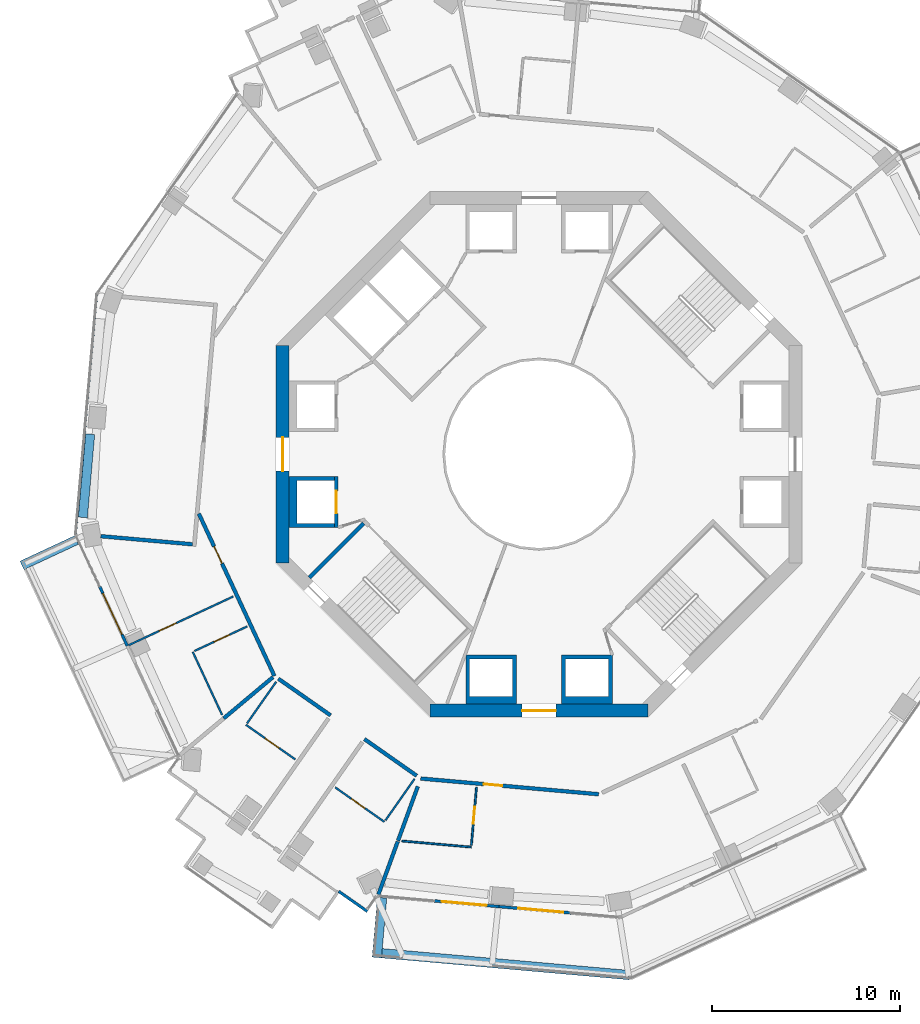
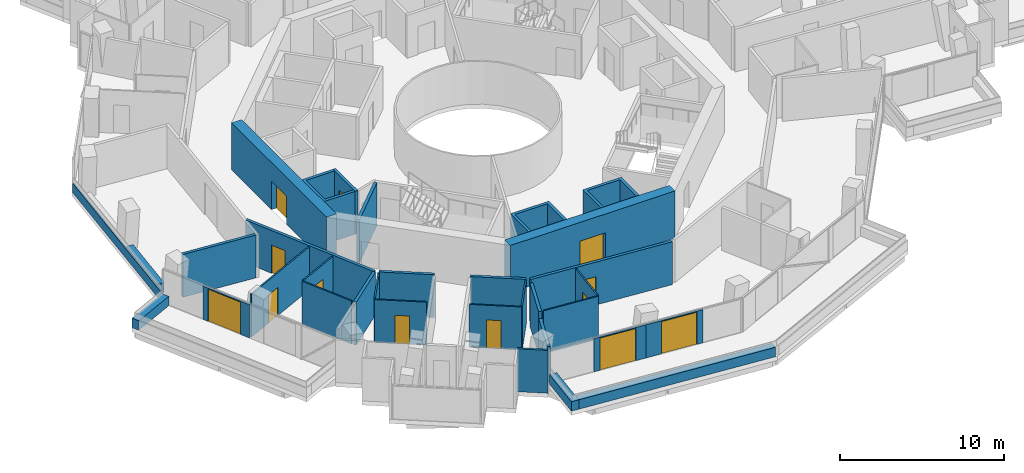
# One storey, part 15 of 23: 33 walls, 13 doors, 13 openings.
"""IFC4 building model written with IfcOpenShell, lengths in metres."""

from ifc_helpers import new_model, si_unit, direction, frame, frame_2d, origin, place, context, subcontext, project, spatial, polyline, rectangle, outline, extrude, material, layer, layer_set, type_object, element, fill, save


model = new_model("IFC4")

# Units and contexts
model_context = context("Model", 3, precision=1e-05, world=origin(), true_north=direction((0.0, 1.0)))
body_context = subcontext(model_context, "Body", "Model", "MODEL_VIEW")
ifc_project = project(units=[si_unit("LENGTHUNIT", "METRE"), si_unit("AREAUNIT", "SQUARE_METRE"), si_unit("VOLUMEUNIT", "CUBIC_METRE"), si_unit("PLANEANGLEUNIT", "RADIAN"), si_unit("MASSUNIT", "GRAM", prefix="KILO")], contexts=[model_context])

# Site, building, storey
site_placement = place(None, origin())
site = spatial("IfcSite", under=ifc_project, at=site_placement, CompositionType="ELEMENT")
building_placement = place(site_placement, origin())
building = spatial("IfcBuilding", under=site, at=building_placement, Name="Verdalira Terraces Hotel", CompositionType="ELEMENT")
storey_placement = place(building_placement, frame((0.0, 0.0, 136.5)))
storey = spatial("IfcBuildingStorey", under=building, at=storey_placement, Name="L32", CompositionType="ELEMENT", Elevation=136.5)

# Walls
ifc_material_1 = material(Name="Concrete C40", Category="concrete")
ifc_layer_1 = layer(ifc_material_1, 0.5)
ifc_layer_set_1 = layer_set([ifc_layer_1], Name="Balcony planter trough with tree")
wall_type_1 = type_object("IfcWallType", Name="Balcony planter trough with tree", PredefinedType="SOLIDWALL", material=ifc_layer_set_1)
wall_1_placement = place(storey_placement, frame((-24.630859, -4.570801, 0.0), z_axis=(0.0, 0.0, 1.0), x_axis=(-0.906621324, -0.421945227, 0.0)))
element("IfcWall", 1, at=wall_1_placement, inside=storey, type_object=wall_type_1, Name="Balcony planter", PredefinedType="SOLIDWALL", context=body_context, shape_type="SweptSolid", body=[
    extrude(rectangle(XDim=3.199219, YDim=0.5, at=frame_2d((1.599609, 0.0))), origin(), (0.0, 0.0, 1.0), 0.699951),
])
wall_2_placement = place(storey_placement, frame((-8.356934, -23.616455, 0.0), z_axis=(0.0, 0.0, 1.0), x_axis=(-0.087920539, -0.996127491, 0.0)))
element("IfcWall", 2, at=wall_2_placement, inside=storey, type_object=wall_type_1, Name="Balcony planter", PredefinedType="SOLIDWALL", context=body_context, shape_type="SweptSolid", body=[
    extrude(rectangle(XDim=3.198975, YDim=0.5, at=frame_2d((1.599609, 0.0))), origin(), (0.0, 0.0, 1.0), 0.699951),
])
wall_3_placement = place(storey_placement, frame((-8.367188, -26.575928, 0.0), z_axis=(0.0, 0.0, 1.0), x_axis=(0.996132512, -0.087863636, 0.0)))
element("IfcWall", 3, at=wall_3_placement, inside=storey, type_object=wall_type_1, Name="Balcony planter", PredefinedType="SOLIDWALL", context=body_context, shape_type="SweptSolid", body=[
    extrude(rectangle(XDim=13.223389, YDim=0.5, at=frame_2d((6.611816, 0.0))), origin(), (0.0, 0.0, 1.0), 0.699951),
])

# Wall, opening, door
ifc_material_2 = material(Name="Moisture-resistant gypsum board partition")
ifc_layer_2 = layer(ifc_material_2, 0.10009765625)
ifc_layer_set_2 = layer_set([ifc_layer_2], Name="Bathroom partition 100 mm")
wall_type_2 = type_object("IfcWallType", Name="Bathroom partition 100 mm", PredefinedType="PARTITIONING", material=ifc_layer_set_2)
wall_4_placement = place(storey_placement, frame((-16.281006, -7.578125, 0.0), z_axis=(0.0, 0.0, 1.0), x_axis=(-0.90660458, -0.421981202, 0.0)))
wall_4 = element("IfcWall", 4, at=wall_4_placement, inside=storey, type_object=wall_type_2, Name="Bathroom partition", PredefinedType="PARTITIONING", context=body_context, shape_type="SweptSolid", body=[
    extrude(rectangle(XDim=6.150146, YDim=0.100098, at=frame_2d((3.075195, 0.0))), origin(), (0.0, 0.0, 1.0), 3.189941),
])
opening_1_placement = place(wall_4_placement, frame((3.350098, 0.0, 0.0)))
opening_1 = element("IfcOpeningElement", 5, at=opening_1_placement, cuts=wall_4, Name="Opening L32-110", PredefinedType="OPENING", context=body_context, shape_type="SweptSolid", body=[
    extrude(rectangle(XDim=1.0, YDim=2.100098, at=frame_2d((0.5, 1.050049))), frame((0.0, 0.060059, 0.0), z_axis=(0.0, -1.0, 0.0), x_axis=(1.0, 0.0, 0.0)), (0.0, 0.0, 1.0), 0.120117),
])
ifc_material_3 = material(Name="Timber door", Category="wood")
door_type_1 = type_object("IfcDoorType", Name="Suite internal door 1000 x 2100", OperationType="NOTDEFINED", PredefinedType="DOOR", material=ifc_material_3)
door_1_placement = place(opening_1_placement, origin())
door_1 = element("IfcDoor", 6, at=door_1_placement, inside=storey, type_object=door_type_1, Name="Suite internal door 3204", OperationType="SINGLE_SWING_LEFT", OverallHeight=2.10009765625, OverallWidth=1.0, PredefinedType="DOOR", context=body_context, shape_type="SweptSolid", body=[
    extrude(rectangle(XDim=1.0, YDim=2.100098, at=frame_2d((0.5, 1.050049))), frame((0.0, 0.024902, 0.0), z_axis=(0.0, -1.0, 0.0), x_axis=(1.0, 0.0, 0.0)), (0.0, 0.0, 1.0), 0.050049),
])
fill(opening_1, door_1)

# Wall
wall_5_placement = place(storey_placement, frame((-18.440186, -10.522705, 0.0), z_axis=(0.0, 0.0, 1.0), x_axis=(0.421990349, -0.906600323, 0.0)))
element("IfcWall", 7, at=wall_5_placement, inside=storey, type_object=wall_type_2, Name="Bathroom partition", PredefinedType="PARTITIONING", context=body_context, shape_type="SweptSolid", body=[
    extrude(rectangle(XDim=3.703857, YDim=0.100098, at=frame_2d((1.852051, 0.0))), origin(), (0.0, 0.0, 1.0), 3.189941),
])

# Wall, opening, door
wall_6_placement = place(storey_placement, frame((-15.539062, -9.172363, 0.0), z_axis=(0.0, 0.0, 1.0), x_axis=(-0.906613229, -0.42196262, 0.0)))
wall_6 = element("IfcWall", 8, at=wall_6_placement, inside=storey, type_object=wall_type_2, Name="Bathroom partition", PredefinedType="PARTITIONING", context=body_context, shape_type="SweptSolid", body=[
    extrude(rectangle(XDim=3.100098, YDim=0.100098, at=frame_2d((1.550049, 0.0))), origin(), (0.0, 0.0, 1.0), 3.189941),
])
opening_2_placement = place(wall_6_placement, frame((1.050049, 0.0, 0.0)))
opening_2 = element("IfcOpeningElement", 9, at=opening_2_placement, cuts=wall_6, Name="Opening L32-111", PredefinedType="OPENING", context=body_context, shape_type="SweptSolid", body=[
    extrude(rectangle(XDim=0.899902, YDim=2.100098, at=frame_2d((0.449951, 1.050049))), frame((0.0, 0.060059, 0.0), z_axis=(0.0, -1.0, 0.0), x_axis=(1.0, 0.0, 0.0)), (0.0, 0.0, 1.0), 0.120117),
])
ifc_material_4 = material(Name="Timber door", Category="wood")
door_type_2 = type_object("IfcDoorType", Name="Bathroom door 900 x 2100", OperationType="NOTDEFINED", PredefinedType="DOOR", material=ifc_material_4)
door_2_placement = place(opening_2_placement, origin())
door_2 = element("IfcDoor", 10, at=door_2_placement, inside=storey, type_object=door_type_2, Name="Bathroom door 3204", OperationType="SINGLE_SWING_RIGHT", OverallHeight=2.10009765625, OverallWidth=0.89990234375, PredefinedType="DOOR", context=body_context, shape_type="SweptSolid", body=[
    extrude(rectangle(XDim=0.899902, YDim=2.100098, at=frame_2d((0.449951, 1.050049))), frame((0.0, 0.024902, 0.0), z_axis=(0.0, -1.0, 0.0), x_axis=(1.0, 0.0, 0.0)), (0.0, 0.0, 1.0), 0.050049),
])
fill(opening_2, door_2)

# Wall
wall_7_placement = place(storey_placement, frame((-13.995117, -12.119629, 0.0), z_axis=(0.0, 0.0, 1.0), x_axis=(-0.57416, -0.818743118, 0.0)))
element("IfcWall", 11, at=wall_7_placement, inside=storey, type_object=wall_type_2, Name="Bathroom partition", PredefinedType="PARTITIONING", context=body_context, shape_type="SweptSolid", body=[
    extrude(rectangle(XDim=2.700195, YDim=0.100098, at=frame_2d((1.350098, 0.0))), origin(), (0.0, 0.0, 1.0), 3.189941),
])

# Wall, opening, door
wall_8_placement = place(storey_placement, frame((-15.602783, -14.412109, 0.0), z_axis=(0.0, 0.0, 1.0), x_axis=(0.818744188, -0.574158475, 0.0)))
wall_8 = element("IfcWall", 12, at=wall_8_placement, inside=storey, type_object=wall_type_2, Name="Bathroom partition", PredefinedType="PARTITIONING", context=body_context, shape_type="SweptSolid", body=[
    extrude(rectangle(XDim=3.200195, YDim=0.100098, at=frame_2d((1.600098, 0.0))), origin(), (0.0, 0.0, 1.0), 3.189941),
])
opening_3_placement = place(wall_8_placement, frame((1.25, 0.0, 0.0)))
opening_3 = element("IfcOpeningElement", 13, at=opening_3_placement, cuts=wall_8, Name="Opening L32-115", PredefinedType="OPENING", context=body_context, shape_type="SweptSolid", body=[
    extrude(rectangle(XDim=0.899902, YDim=2.100098, at=frame_2d((0.449951, 1.050049))), frame((0.0, 0.060059, 0.0), z_axis=(0.0, -1.0, 0.0), x_axis=(1.0, 0.0, 0.0)), (0.0, 0.0, 1.0), 0.120117),
])
door_3_placement = place(opening_3_placement, origin())
door_3 = element("IfcDoor", 14, at=door_3_placement, inside=storey, type_object=door_type_2, Name="Bathroom door 3205", OperationType="SINGLE_SWING_LEFT", OverallHeight=2.10009765625, OverallWidth=0.89990234375, PredefinedType="DOOR", context=body_context, shape_type="SweptSolid", body=[
    extrude(rectangle(XDim=0.899902, YDim=2.100098, at=frame_2d((0.449951, 1.050049))), frame((0.0, 0.024902, 0.0), z_axis=(0.0, -1.0, 0.0), x_axis=(1.0, 0.0, 0.0)), (0.0, 0.0, 1.0), 0.050049),
])
fill(opening_3, door_3)

wall_9_placement = place(storey_placement, frame((-10.854004, -17.742188, 0.0), z_axis=(0.0, 0.0, 1.0), x_axis=(0.818744188, -0.574158475, 0.0)))
wall_9 = element("IfcWall", 15, at=wall_9_placement, inside=storey, type_object=wall_type_2, Name="Bathroom partition", PredefinedType="PARTITIONING", context=body_context, shape_type="SweptSolid", body=[
    extrude(rectangle(XDim=3.200195, YDim=0.100098, at=frame_2d((1.600098, 0.0))), origin(), (0.0, 0.0, 1.0), 3.189941),
])
opening_4_placement = place(wall_9_placement, frame((1.050049, 0.0, 0.0)))
opening_4 = element("IfcOpeningElement", 16, at=opening_4_placement, cuts=wall_9, Name="Opening L32-116", PredefinedType="OPENING", context=body_context, shape_type="SweptSolid", body=[
    extrude(rectangle(XDim=0.899902, YDim=2.100098, at=frame_2d((0.449951, 1.050049))), frame((0.0, 0.060059, 0.0), z_axis=(0.0, -1.0, 0.0), x_axis=(1.0, 0.0, 0.0)), (0.0, 0.0, 1.0), 0.120117),
])
door_4_placement = place(opening_4_placement, origin())
door_4 = element("IfcDoor", 17, at=door_4_placement, inside=storey, type_object=door_type_2, Name="Bathroom door 3205", OperationType="SINGLE_SWING_RIGHT", OverallHeight=2.10009765625, OverallWidth=0.89990234375, PredefinedType="DOOR", context=body_context, shape_type="SweptSolid", body=[
    extrude(rectangle(XDim=0.899902, YDim=2.100098, at=frame_2d((0.449951, 1.050049))), frame((0.0, 0.024902, 0.0), z_axis=(0.0, -1.0, 0.0), x_axis=(1.0, 0.0, 0.0)), (0.0, 0.0, 1.0), 0.050049),
])
fill(opening_4, door_4)

# Walls
wall_10_placement = place(storey_placement, frame((-8.176514, -19.497803, 0.0), z_axis=(0.0, 0.0, 1.0), x_axis=(0.574099384, 0.818785623, 0.0)))
element("IfcWall", 18, at=wall_10_placement, inside=storey, type_object=wall_type_2, Name="Bathroom partition", PredefinedType="PARTITIONING", context=body_context, shape_type="SweptSolid", body=[
    extrude(rectangle(XDim=2.699951, YDim=0.100098, at=frame_2d((1.350098, 0.0))), origin(), (0.0, 0.0, 1.0), 3.189941),
])
wall_11_placement = place(storey_placement, frame((-3.610352, -20.922119, 0.0), z_axis=(0.0, 0.0, 1.0), x_axis=(-0.996132735, 0.087861109, 0.0)))
element("IfcWall", 19, at=wall_11_placement, inside=storey, type_object=wall_type_2, Name="Bathroom partition", PredefinedType="PARTITIONING", context=body_context, shape_type="SweptSolid", body=[
    extrude(rectangle(XDim=3.704102, YDim=0.100098, at=frame_2d((1.852051, 0.0))), origin(), (0.0, 0.0, 1.0), 3.189941),
])

# Wall, opening, door
wall_12_placement = place(storey_placement, frame((-3.601562, -20.82251, 0.0), z_axis=(0.0, 0.0, 1.0), x_axis=(0.087886915, 0.996130458, 0.0)))
wall_12 = element("IfcWall", 20, at=wall_12_placement, inside=storey, type_object=wall_type_2, Name="Bathroom partition", PredefinedType="PARTITIONING", context=body_context, shape_type="SweptSolid", body=[
    extrude(rectangle(XDim=3.100098, YDim=0.100098, at=frame_2d((1.550049, 0.0))), origin(), (0.0, 0.0, 1.0), 3.189941),
])
opening_5_placement = place(wall_12_placement, frame((1.149902, 0.0, 0.0)))
opening_5 = element("IfcOpeningElement", 21, at=opening_5_placement, cuts=wall_12, Name="Opening L32-118", PredefinedType="OPENING", context=body_context, shape_type="SweptSolid", body=[
    extrude(rectangle(XDim=0.899902, YDim=2.100098, at=frame_2d((0.449951, 1.050049))), frame((0.0, 0.060059, 0.0), z_axis=(0.0, -1.0, 0.0), x_axis=(1.0, 0.0, 0.0)), (0.0, 0.0, 1.0), 0.120117),
])
door_5_placement = place(opening_5_placement, origin())
door_5 = element("IfcDoor", 22, at=door_5_placement, inside=storey, type_object=door_type_2, Name="Bathroom door 3206", OperationType="SINGLE_SWING_LEFT", OverallHeight=2.10009765625, OverallWidth=0.89990234375, PredefinedType="DOOR", context=body_context, shape_type="SweptSolid", body=[
    extrude(rectangle(XDim=0.899902, YDim=2.100098, at=frame_2d((0.449951, 1.050049))), frame((0.0, 0.024902, 0.0), z_axis=(0.0, -1.0, 0.0), x_axis=(1.0, 0.0, 0.0)), (0.0, 0.0, 1.0), 0.050049),
])
fill(opening_5, door_5)

# Wall
ifc_material_5 = material(Name="Concrete C50", Category="concrete")
ifc_layer_3 = layer(ifc_material_5, 0.199951171875)
ifc_layer_set_3 = layer_set([ifc_layer_3], Name="Core RC wall 200 C50")
wall_type_3 = type_object("IfcWallType", Name="Core RC wall 200 C50", PredefinedType="SOLIDWALL", material=ifc_layer_set_3)
wall_13_placement = place(storey_placement, origin())
element("IfcWall", 23, at=wall_13_placement, inside=storey, type_object=wall_type_3, Name="L32 shaft wall W2", PredefinedType="SOLIDWALL", context=body_context, shape_type="SweptSolid", body=[
    extrude(outline(polyline([(-13.300049, -3.899902), (-13.300049, -1.199951), (-10.899902, -1.199951), (-10.899902, -1.399902), (-12.899902, -1.399902), (-12.899902, -3.699951), (-10.899902, -3.699951), (-10.899902, -3.899902), (-13.300049, -3.899902)])), origin(), (0.0, 0.0, 1.0), 3.189941),
])

# Wall, opening, door
wall_14_placement = place(storey_placement, frame((-10.800049, -1.199951, 0.0), z_axis=(0.0, 0.0, 1.0), x_axis=(0.0, -1.0, 0.0)))
wall_14 = element("IfcWall", 24, at=wall_14_placement, inside=storey, type_object=wall_type_3, Name="L32 shaft front wall W2", PredefinedType="SOLIDWALL", context=body_context, shape_type="SweptSolid", body=[
    extrude(rectangle(XDim=2.699951, YDim=0.199951, at=frame_2d((1.350098, 0.0))), origin(), (0.0, 0.0, 1.0), 3.189941),
])
opening_6_placement = place(wall_14_placement, frame((0.75, 0.0, 0.0)))
opening_6 = element("IfcOpeningElement", 25, at=opening_6_placement, cuts=wall_14, Name="Opening LD-L32-806", PredefinedType="OPENING", context=body_context, shape_type="SweptSolid", body=[
    extrude(rectangle(XDim=1.199951, YDim=2.100098, at=frame_2d((0.600098, 1.050049))), frame((0.0, 0.109863, 0.0), z_axis=(0.0, -1.0, 0.0), x_axis=(1.0, 0.0, 0.0)), (0.0, 0.0, 1.0), 0.219971),
])
ifc_material_6 = material(Name="Stainless steel", Category="steel")
door_type_3 = type_object("IfcDoorType", Name="Landing door 1200 x 2100", OperationType="NOTDEFINED", PredefinedType="DOOR", material=ifc_material_6)
door_6_placement = place(opening_6_placement, origin())
door_6 = element("IfcDoor", 26, at=door_6_placement, inside=storey, type_object=door_type_3, Name="Lift landing door LR6 L32", OperationType="DOUBLE_DOOR_SLIDING", OverallHeight=2.10009765625, OverallWidth=1.199951171875, PredefinedType="DOOR", context=body_context, shape_type="SweptSolid", body=[
    extrude(rectangle(XDim=1.199951, YDim=2.100098, at=frame_2d((0.600098, 1.050049))), frame((0.0, 0.024902, 0.0), z_axis=(0.0, -1.0, 0.0), x_axis=(1.0, 0.0, 0.0)), (0.0, 0.0, 1.0), 0.050049),
])
fill(opening_6, door_6)

# Walls
wall_15_placement = place(storey_placement, origin())
element("IfcWall", 27, at=wall_15_placement, inside=storey, type_object=wall_type_3, Name="L32 shaft wall S1", PredefinedType="SOLIDWALL", context=body_context, shape_type="SweptSolid", body=[
    extrude(outline(polyline([(-1.199951, -13.300049), (-3.899902, -13.300049), (-3.899902, -10.699951), (-1.199951, -10.699951), (-1.199951, -13.300049)]), holes=[polyline([(-3.699951, -10.899902), (-3.699951, -12.899902), (-1.399902, -12.899902), (-1.399902, -10.899902), (-3.699951, -10.899902)])]), origin(), (0.0, 0.0, 1.0), 3.189941),
])
wall_16_placement = place(storey_placement, origin())
element("IfcWall", 28, at=wall_16_placement, inside=storey, type_object=wall_type_3, Name="L32 shaft wall S2", PredefinedType="SOLIDWALL", context=body_context, shape_type="SweptSolid", body=[
    extrude(outline(polyline([(3.899902, -10.699951), (3.899902, -13.300049), (1.199951, -13.300049), (1.199951, -10.699951), (3.899902, -10.699951)]), holes=[polyline([(1.399902, -12.899902), (3.699951, -12.899902), (3.699951, -10.899902), (1.399902, -10.899902), (1.399902, -12.899902)])]), origin(), (0.0, 0.0, 1.0), 3.189941),
])
wall_17_placement = place(storey_placement, frame((-9.33374, -3.677002, 0.0), z_axis=(0.0, 0.0, 1.0), x_axis=(-0.707106781, -0.707106781, 0.0)))
element("IfcWall", 29, at=wall_17_placement, inside=storey, type_object=wall_type_3, Name="L32 stair ST2 end wall 1", PredefinedType="SOLIDWALL", context=body_context, shape_type="SweptSolid", body=[
    extrude(rectangle(XDim=4.100098, YDim=0.199951, at=frame_2d((2.050049, 0.0))), origin(), (0.0, 0.0, 1.0), 3.189941),
])

# Wall, opening, door
ifc_material_7 = material(Name="Concrete C60", Category="concrete")
ifc_layer_4 = layer(ifc_material_7, 0.699951171875)
ifc_layer_set_4 = layer_set([ifc_layer_4], Name="Core wall 700 C60")
wall_type_4 = type_object("IfcWallType", Name="Core wall 700 C60", PredefinedType="SHEAR", material=ifc_layer_set_4)
wall_18_placement = place(storey_placement, frame((-13.649902, 5.799072, 0.0), z_axis=(0.0, 0.0, 1.0), x_axis=(0.0, -1.0, 0.0)))
wall_18 = element("IfcWall", 30, at=wall_18_placement, inside=storey, type_object=wall_type_4, Name="Core wall CW-L32-5", PredefinedType="SHEAR", context=body_context, shape_type="SweptSolid", body=[
    extrude(rectangle(XDim=11.598145, YDim=0.699951, at=frame_2d((5.799072, 0.0))), origin(), (0.0, 0.0, 1.0), 3.5),
])
opening_7_placement = place(wall_18_placement, frame((4.898926, 0.0, 0.0)))
opening_7 = element("IfcOpeningElement", 31, at=opening_7_placement, cuts=wall_18, Name="Opening L32-814", PredefinedType="OPENING", context=body_context, shape_type="SweptSolid", body=[
    extrude(rectangle(XDim=1.800049, YDim=2.100098, at=frame_2d((0.899902, 1.050049))), frame((0.0, 0.359863, 0.0), z_axis=(0.0, -1.0, 0.0), x_axis=(1.0, 0.0, 0.0)), (0.0, 0.0, 1.0), 0.719971),
])
ifc_material_8 = material(Name="Steel fire door", Category="steel")
door_type_4 = type_object("IfcDoorType", Name="Core entry door pair 1800 x 2100", OperationType="NOTDEFINED", PredefinedType="DOOR", material=ifc_material_8)
door_7_placement = place(opening_7_placement, origin())
door_7 = element("IfcDoor", 32, at=door_7_placement, inside=storey, type_object=door_type_4, Name="Core entry door L32 4", OperationType="DOUBLE_DOOR_SINGLE_SWING", OverallHeight=2.10009765625, OverallWidth=1.800048828125, PredefinedType="DOOR", context=body_context, shape_type="SweptSolid", body=[
    extrude(rectangle(XDim=1.800049, YDim=2.100098, at=frame_2d((0.899902, 1.050049))), frame((0.0, 0.024902, 0.0), z_axis=(0.0, -1.0, 0.0), x_axis=(1.0, 0.0, 0.0)), (0.0, 0.0, 1.0), 0.050049),
])
fill(opening_7, door_7)

wall_19_placement = place(storey_placement, frame((-5.799072, -13.649902, 0.0), z_axis=(0.0, 0.0, 1.0), x_axis=(1.0, 0.0, 0.0)))
wall_19 = element("IfcWall", 33, at=wall_19_placement, inside=storey, type_object=wall_type_4, Name="Core wall CW-L32-7", PredefinedType="SHEAR", context=body_context, shape_type="SweptSolid", body=[
    extrude(rectangle(XDim=11.598145, YDim=0.699951, at=frame_2d((5.799072, 0.0))), origin(), (0.0, 0.0, 1.0), 3.5),
])
opening_8_placement = place(wall_19_placement, frame((4.898926, 0.0, 0.0)))
opening_8 = element("IfcOpeningElement", 34, at=opening_8_placement, cuts=wall_19, Name="Opening L32-815", PredefinedType="OPENING", context=body_context, shape_type="SweptSolid", body=[
    extrude(rectangle(XDim=1.800049, YDim=2.100098, at=frame_2d((0.899902, 1.050049))), frame((0.0, 0.359863, 0.0), z_axis=(0.0, -1.0, 0.0), x_axis=(1.0, 0.0, 0.0)), (0.0, 0.0, 1.0), 0.719971),
])
door_8_placement = place(opening_8_placement, origin())
door_8 = element("IfcDoor", 35, at=door_8_placement, inside=storey, type_object=door_type_4, Name="Core entry door L32 6", OperationType="DOUBLE_DOOR_SINGLE_SWING", OverallHeight=2.10009765625, OverallWidth=1.800048828125, PredefinedType="DOOR", context=body_context, shape_type="SweptSolid", body=[
    extrude(rectangle(XDim=1.800049, YDim=2.100098, at=frame_2d((0.899902, 1.050049))), frame((0.0, 0.024902, 0.0), z_axis=(0.0, -1.0, 0.0), x_axis=(1.0, 0.0, 0.0)), (0.0, 0.0, 1.0), 0.050049),
])
fill(opening_8, door_8)

# Walls
ifc_material_9 = material(Name="Fire-rated gypsum board wall")
ifc_layer_5 = layer(ifc_material_9, 0.199951171875)
ifc_layer_set_5 = layer_set([ifc_layer_5], Name="Demising wall 200 mm")
wall_type_5 = type_object("IfcWallType", Name="Demising wall 200 mm", PredefinedType="SOLIDWALL", material=ifc_layer_set_5)
wall_20_placement = place(storey_placement, frame((-14.171143, -11.874268, 0.0), z_axis=(0.0, 0.0, 1.0), x_axis=(-0.766508121, -0.642234615, 0.0)))
element("IfcWall", 36, at=wall_20_placement, inside=storey, type_object=wall_type_5, Name="Demising wall", PredefinedType="SOLIDWALL", context=body_context, shape_type="SweptSolid", body=[
    extrude(rectangle(XDim=3.41626, YDim=0.199951, at=frame_2d((1.708008, 0.0))), origin(), (0.0, 0.0, 1.0), 3.189941),
])
wall_21_placement = place(storey_placement, frame((-6.453369, -17.691895, 0.0), z_axis=(0.0, 0.0, 1.0), x_axis=(-0.342641889, -0.939466091, 0.0)))
element("IfcWall", 37, at=wall_21_placement, inside=storey, type_object=wall_type_5, Name="Demising wall", PredefinedType="SOLIDWALL", context=body_context, shape_type="SweptSolid", body=[
    extrude(rectangle(XDim=3.074463, YDim=0.199951, at=frame_2d((1.537109, 0.0))), origin(), (0.0, 0.0, 1.0), 3.189941),
])
ifc_material_10 = material(Name="Fire-rated gypsum board wall")
ifc_layer_6 = layer(ifc_material_10, 0.199951171875)
ifc_layer_set_6 = layer_set([ifc_layer_6], Name="Demising wall 200 mm to beam soffit")
wall_type_6 = type_object("IfcWallType", Name="Demising wall 200 mm to beam soffit", PredefinedType="SOLIDWALL", material=ifc_layer_set_6)
wall_22_placement = place(storey_placement, frame((-7.522705, -20.623535, 0.0), z_axis=(0.0, 0.0, 1.0), x_axis=(-0.342686746, -0.93944973, 0.0)))
element("IfcWall", 38, at=wall_22_placement, inside=storey, type_object=wall_type_6, Name="Demising wall", PredefinedType="SOLIDWALL", context=body_context, shape_type="SweptSolid", body=[
    extrude(rectangle(XDim=3.011475, YDim=0.199951, at=frame_2d((1.505859, 0.0))), origin(), (0.0, 0.0, 1.0), 2.689941),
])

# Wall, opening, door
ifc_material_11 = material(Name="Fire-rated gypsum board wall")
ifc_layer_7 = layer(ifc_material_11, 0.199951171875)
ifc_layer_set_7 = layer_set([ifc_layer_7], Name="Guest corridor wall 200 mm")
wall_type_7 = type_object("IfcWallType", Name="Guest corridor wall 200 mm", PredefinedType="SOLIDWALL", material=ifc_layer_set_7)
wall_23_placement = place(storey_placement, frame((-14.091797, -11.807617, 0.0), z_axis=(0.0, 0.0, 1.0), x_axis=(-0.421991127, 0.906599961, 0.0)))
wall_23 = element("IfcWall", 39, at=wall_23_placement, inside=storey, type_object=wall_type_7, Name="Guest corridor wall", PredefinedType="SOLIDWALL", context=body_context, shape_type="SweptSolid", body=[
    extrude(rectangle(XDim=9.536621, YDim=0.199951, at=frame_2d((4.768311, 0.0))), origin(), (0.0, 0.0, 1.0), 3.189941),
])
opening_9_placement = place(wall_23_placement, frame((6.608398, 0.0, 0.0)))
opening_9 = element("IfcOpeningElement", 40, at=opening_9_placement, cuts=wall_23, Name="Opening L32-109", PredefinedType="OPENING", context=body_context, shape_type="SweptSolid", body=[
    extrude(rectangle(XDim=1.0, YDim=2.100098, at=frame_2d((0.5, 1.050049))), frame((0.0, 0.109863, 0.0), z_axis=(0.0, -1.0, 0.0), x_axis=(1.0, 0.0, 0.0)), (0.0, 0.0, 1.0), 0.219971),
])
ifc_material_12 = material(Name="Timber fire door", Category="wood")
door_type_5 = type_object("IfcDoorType", Name="Guest entry door 1000 x 2100", OperationType="NOTDEFINED", PredefinedType="DOOR", material=ifc_material_12)
door_9_placement = place(opening_9_placement, origin())
door_9 = element("IfcDoor", 41, at=door_9_placement, inside=storey, type_object=door_type_5, Name="Guest entry door 3204", OperationType="SINGLE_SWING_LEFT", OverallHeight=2.10009765625, OverallWidth=1.0, PredefinedType="DOOR", context=body_context, shape_type="SweptSolid", body=[
    extrude(rectangle(XDim=1.0, YDim=2.100098, at=frame_2d((0.5, 1.050049))), frame((0.0, 0.024902, 0.0), z_axis=(0.0, -1.0, 0.0), x_axis=(1.0, 0.0, 0.0)), (0.0, 0.0, 1.0), 0.050049),
])
fill(opening_9, door_9)

# Walls
for number, where, z_axis, x_axis, name in (
    (42, (-13.880371, -11.956055, 0.0), (0.0, 0.0, 1.0), (0.818762763, -0.574131987, 0.0), "Guest corridor wall"),
    (43, (-9.29541, -15.171143, 0.0), (0.0, 0.0, 1.0), (0.818762763, -0.574131987, 0.0), "Guest corridor wall"),
):
    element("IfcWall", number, at=place(storey_placement, frame(where, z_axis=z_axis, x_axis=x_axis)), inside=storey, type_object=wall_type_7, Name=name, PredefinedType="SOLIDWALL", context=body_context, shape_type="SweptSolid", body=[
        extrude(rectangle(XDim=3.400146, YDim=0.199951, at=frame_2d((1.700195, 0.0))), origin(), (0.0, 0.0, 1.0), 3.189941),
    ])

# Wall, opening, door
wall_24_placement = place(storey_placement, frame((3.179199, -18.107666, 0.0), z_axis=(0.0, 0.0, 1.0), x_axis=(-0.996131898, 0.087870599, 0.0)))
wall_24 = element("IfcWall", 44, at=wall_24_placement, inside=storey, type_object=wall_type_7, Name="Guest corridor wall", PredefinedType="SOLIDWALL", context=body_context, shape_type="SweptSolid", body=[
    extrude(rectangle(XDim=9.516113, YDim=0.199951, at=frame_2d((4.758057, 0.0))), origin(), (0.0, 0.0, 1.0), 3.189941),
])
opening_10_placement = place(wall_24_placement, frame((5.149902, 0.0, 0.0)))
opening_10 = element("IfcOpeningElement", 45, at=opening_10_placement, cuts=wall_24, Name="Opening L32-117", PredefinedType="OPENING", context=body_context, shape_type="SweptSolid", body=[
    extrude(rectangle(XDim=1.0, YDim=2.100098, at=frame_2d((0.5, 1.050049))), frame((0.0, 0.109863, 0.0), z_axis=(0.0, -1.0, 0.0), x_axis=(1.0, 0.0, 0.0)), (0.0, 0.0, 1.0), 0.219971),
])
door_10_placement = place(opening_10_placement, origin())
door_10 = element("IfcDoor", 46, at=door_10_placement, inside=storey, type_object=door_type_5, Name="Guest entry door 3206", OperationType="SINGLE_SWING_LEFT", OverallHeight=2.10009765625, OverallWidth=1.0, PredefinedType="DOOR", context=body_context, shape_type="SweptSolid", body=[
    extrude(rectangle(XDim=1.0, YDim=2.100098, at=frame_2d((0.5, 1.050049))), frame((0.0, 0.024902, 0.0), z_axis=(0.0, -1.0, 0.0), x_axis=(1.0, 0.0, 0.0)), (0.0, 0.0, 1.0), 0.050049),
])
fill(opening_10, door_10)

# Walls
ifc_material_13 = material(Name="Terracotta cladding", Category="masonry")
ifc_layer_8 = layer(ifc_material_13, 0.199951171875)
ifc_layer_set_8 = layer_set([ifc_layer_8], Name="Loggia back wall 200")
wall_type_8 = type_object("IfcWallType", Name="Loggia back wall 200", PredefinedType="SOLIDWALL", material=ifc_layer_set_8)
wall_25_placement = place(storey_placement, frame((-23.335938, -4.366699, 0.0), z_axis=(0.0, 0.0, 1.0), x_axis=(0.996131645, -0.087873468, 0.0)))
element("IfcWall", 47, at=wall_25_placement, inside=storey, type_object=wall_type_8, Name="Loggia side wall", PredefinedType="SOLIDWALL", context=body_context, shape_type="SweptSolid", body=[
    extrude(rectangle(XDim=4.903809, YDim=0.199951, at=frame_2d((2.451904, 0.0))), origin(), (0.0, 0.0, 1.0), 3.189941),
])
ifc_material_14 = material(Name="Concrete C40", Category="concrete")
ifc_layer_9 = layer(ifc_material_14, 0.5)
ifc_layer_set_9 = layer_set([ifc_layer_9], Name="Loggia planter trough with tree")
wall_type_9 = type_object("IfcWallType", Name="Loggia planter trough with tree", PredefinedType="SOLIDWALL", material=ifc_layer_set_9)
wall_26_placement = place(storey_placement, frame((-23.906982, 1.068848, 0.0), z_axis=(0.0, 0.0, 1.0), x_axis=(-0.08780743, -0.996137468, 0.0)))
element("IfcWall", 48, at=wall_26_placement, inside=storey, type_object=wall_type_9, Name="Loggia planter", PredefinedType="SOLIDWALL", context=body_context, shape_type="SweptSolid", body=[
    extrude(rectangle(XDim=4.454102, YDim=0.5, at=frame_2d((2.227051, 0.0))), origin(), (0.0, 0.0, 1.0), 0.699951),
])
ifc_material_15 = material(Name="Concrete C40", Category="concrete")
ifc_layer_10 = layer(ifc_material_15, 0.10009765625)
ifc_layer_set_10 = layer_set([ifc_layer_10], Name="Loggia upstand 100")
wall_type_10 = type_object("IfcWallType", Name="Loggia upstand 100", PredefinedType="SOLIDWALL", material=ifc_layer_set_10)
wall_27_placement = place(storey_placement, frame((-23.550781, 8.521973, 0.0), z_axis=(0.0, 0.0, 1.0), x_axis=(-0.087843868, -0.996134255, 0.0)))
element("IfcWall", 49, at=wall_27_placement, inside=storey, type_object=wall_type_10, Name="Loggia upstand", PredefinedType="SOLIDWALL", context=body_context, shape_type="SweptSolid", body=[
    extrude(rectangle(XDim=12.840088, YDim=0.100098, at=frame_2d((6.419922, 0.0))), origin(), (0.0, 0.0, 1.0), 0.699951),
])
ifc_material_16 = material(Name="Terracotta cladding", Category="masonry")
ifc_layer_11 = layer(ifc_material_16, 0.14990234375)
ifc_layer_set_11 = layer_set([ifc_layer_11], Name="Terracotta clad wall 150")
wall_type_11 = type_object("IfcWallType", Name="Terracotta clad wall 150", PredefinedType="SOLIDWALL", material=ifc_layer_set_11)
wall_28_placement = place(storey_placement, frame((-10.672119, -23.274414, 0.0), z_axis=(0.0, 0.0, 1.0), x_axis=(0.818778979, -0.574108861, 0.0)))
element("IfcWall", 50, at=wall_28_placement, inside=storey, type_object=wall_type_11, Name="Terracotta cladding wall", PredefinedType="SOLIDWALL", context=body_context, shape_type="SweptSolid", body=[
    extrude(rectangle(XDim=1.875, YDim=0.149902, at=frame_2d((0.9375, 0.0))), origin(), (0.0, 0.0, 1.0), 3.189941),
])

# Wall, opening, door
ifc_material_17 = material(Name="Terracotta cladding", Category="masonry")
ifc_layer_12 = layer(ifc_material_17, 0.14990234375)
ifc_layer_set_12 = layer_set([ifc_layer_12], Name="Terracotta door pier 150")
wall_type_12 = type_object("IfcWallType", Name="Terracotta door pier 150", PredefinedType="SOLIDWALL", material=ifc_layer_set_12)
wall_29_placement = place(storey_placement, frame((-23.391113, -7.054688, 0.0), z_axis=(0.0, 0.0, 1.0), x_axis=(0.422027589, -0.906582988, 0.0)))
wall_29 = element("IfcWall", 51, at=wall_29_placement, inside=storey, type_object=wall_type_12, Name="Terracotta door pier", PredefinedType="SOLIDWALL", context=body_context, shape_type="SweptSolid", body=[
    extrude(rectangle(XDim=3.475098, YDim=0.149902, at=frame_2d((1.737549, 0.0))), origin(), (0.0, 0.0, 1.0), 2.475098),
])
opening_11_placement = place(wall_29_placement, frame((0.399902, 0.0, 0.0)))
opening_11 = element("IfcOpeningElement", 52, at=opening_11_placement, cuts=wall_29, Name="Opening L32-B02", PredefinedType="OPENING", context=body_context, shape_type="SweptSolid", body=[
    extrude(rectangle(XDim=2.399902, YDim=2.399902, at=frame_2d((1.199951, 1.199951))), frame((0.0, 0.084961, 0.0), z_axis=(0.0, -1.0, 0.0), x_axis=(1.0, 0.0, 0.0)), (0.0, 0.0, 1.0), 0.169922),
])
ifc_material_18 = material(Name="Clear glass", Category="glass")
door_type_6 = type_object("IfcDoorType", Name="Balcony sliding door 2400x2400", OperationType="NOTDEFINED", PredefinedType="DOOR", material=ifc_material_18)
door_11_placement = place(opening_11_placement, origin())
door_11 = element("IfcDoor", 53, at=door_11_placement, inside=storey, type_object=door_type_6, Name="Balcony sliding door", OperationType="SLIDING_TO_RIGHT", OverallHeight=2.39990234375, OverallWidth=2.39990234375, PredefinedType="DOOR", context=body_context, shape_type="SweptSolid", body=[
    extrude(rectangle(XDim=2.399902, YDim=2.399902, at=frame_2d((1.199951, 1.199951))), frame((0.0, 0.024902, 0.0), z_axis=(0.0, -1.0, 0.0), x_axis=(1.0, 0.0, 0.0)), (0.0, 0.0, 1.0), 0.050049),
])
fill(opening_11, door_11)

wall_30_placement = place(storey_placement, frame((-5.586182, -23.784424, 0.0), z_axis=(0.0, 0.0, 1.0), x_axis=(0.996130393, -0.087887659, 0.0)))
wall_30 = element("IfcWall", 54, at=wall_30_placement, inside=storey, type_object=wall_type_12, Name="Terracotta door pier", PredefinedType="SOLIDWALL", context=body_context, shape_type="SweptSolid", body=[
    extrude(rectangle(XDim=3.475098, YDim=0.149902, at=frame_2d((1.737549, 0.0))), origin(), (0.0, 0.0, 1.0), 2.475098),
])
opening_12_placement = place(wall_30_placement, frame((0.399902, 0.0, 0.0)))
opening_12 = element("IfcOpeningElement", 55, at=opening_12_placement, cuts=wall_30, Name="Opening L32-B04", PredefinedType="OPENING", context=body_context, shape_type="SweptSolid", body=[
    extrude(rectangle(XDim=2.399902, YDim=2.399902, at=frame_2d((1.199951, 1.199951))), frame((0.0, 0.084961, 0.0), z_axis=(0.0, -1.0, 0.0), x_axis=(1.0, 0.0, 0.0)), (0.0, 0.0, 1.0), 0.169922),
])
door_12_placement = place(opening_12_placement, origin())
door_12 = element("IfcDoor", 56, at=door_12_placement, inside=storey, type_object=door_type_6, Name="Balcony sliding door", OperationType="SLIDING_TO_RIGHT", OverallHeight=2.39990234375, OverallWidth=2.39990234375, PredefinedType="DOOR", context=body_context, shape_type="SweptSolid", body=[
    extrude(rectangle(XDim=2.399902, YDim=2.399902, at=frame_2d((1.199951, 1.199951))), frame((0.0, 0.024902, 0.0), z_axis=(0.0, -1.0, 0.0), x_axis=(1.0, 0.0, 0.0)), (0.0, 0.0, 1.0), 0.050049),
])
fill(opening_12, door_12)

wall_31_placement = place(storey_placement, frame((-2.124512, -24.089844, 0.0), z_axis=(0.0, 0.0, 1.0), x_axis=(0.996134275, -0.087843651, 0.0)))
wall_31 = element("IfcWall", 57, at=wall_31_placement, inside=storey, type_object=wall_type_12, Name="Terracotta door pier", PredefinedType="SOLIDWALL", context=body_context, shape_type="SweptSolid", body=[
    extrude(rectangle(XDim=3.835449, YDim=0.149902, at=frame_2d((1.917725, 0.0))), origin(), (0.0, 0.0, 1.0), 2.475098),
])
opening_13_placement = place(wall_31_placement, frame((1.0354, 0.0, 0.0)))
opening_13 = element("IfcOpeningElement", 58, at=opening_13_placement, cuts=wall_31, Name="Opening L32-B05", PredefinedType="OPENING", context=body_context, shape_type="SweptSolid", body=[
    extrude(rectangle(XDim=2.399902, YDim=2.399902, at=frame_2d((1.199951, 1.199951))), frame((0.0, 0.084961, 0.0), z_axis=(0.0, -1.0, 0.0), x_axis=(1.0, 0.0, 0.0)), (0.0, 0.0, 1.0), 0.169922),
])
door_13_placement = place(opening_13_placement, origin())
door_13 = element("IfcDoor", 59, at=door_13_placement, inside=storey, type_object=door_type_6, Name="Balcony sliding door", OperationType="SLIDING_TO_LEFT", OverallHeight=2.39990234375, OverallWidth=2.39990234375, PredefinedType="DOOR", context=body_context, shape_type="SweptSolid", body=[
    extrude(rectangle(XDim=2.399902, YDim=2.399902, at=frame_2d((1.199951, 1.199951))), frame((0.0, 0.024902, 0.0), z_axis=(0.0, -1.0, 0.0), x_axis=(1.0, 0.0, 0.0)), (0.0, 0.0, 1.0), 0.050049),
])
fill(opening_13, door_13)

save(model, "model.ifc")
